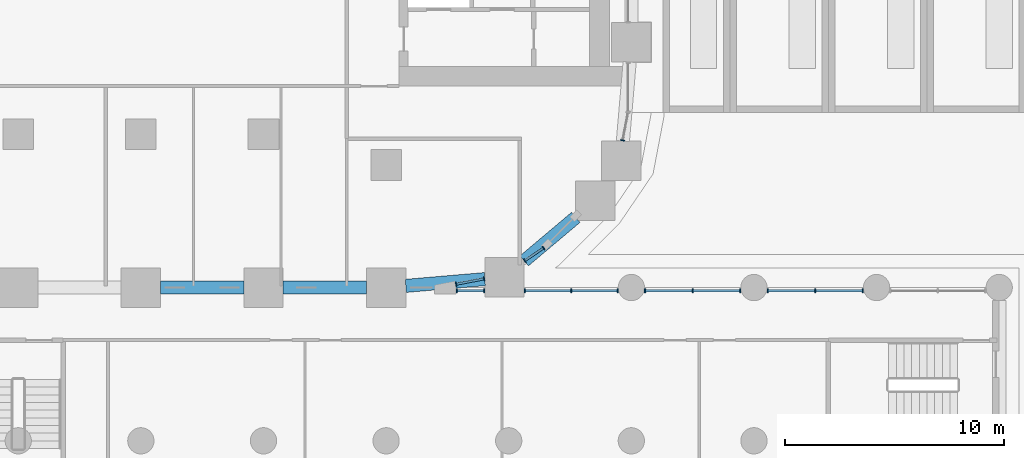
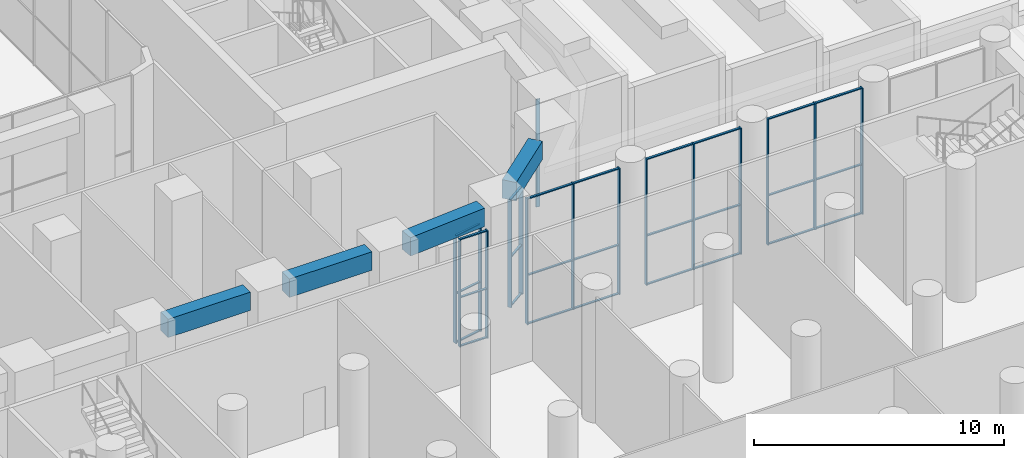
# One storey, part 15 of 51: 43 members, 4 beams, 7 elements without a shape of their own.
"""IFC4 building model written with IfcOpenShell, lengths in metres."""

from ifc_helpers import new_model, si_unit, direction, frame, origin, origin_2d, place, context, subcontext, project, spatial, rectangle, extrude, material, layer, layer_set, material_profile, profile_set, type_object, element, aggregate, save


model = new_model("IFC4")

# Units and contexts
model_context = context("Model", 3, precision=1e-05, world=origin(), true_north=direction((0.0, 1.0)))
body_context = subcontext(model_context, "Body", "Model", "MODEL_VIEW")
ifc_project = project(units=[si_unit("LENGTHUNIT", "METRE"), si_unit("AREAUNIT", "SQUARE_METRE"), si_unit("VOLUMEUNIT", "CUBIC_METRE"), si_unit("PLANEANGLEUNIT", "RADIAN"), si_unit("MASSUNIT", "GRAM", prefix="KILO")], contexts=[model_context])

# Site, building, storey
site_placement = place(None, origin())
site = spatial("IfcSite", under=ifc_project, at=site_placement, CompositionType="ELEMENT")
building_placement = place(site_placement, origin())
building = spatial("IfcBuilding", under=site, at=building_placement, Name="Kiln Ring Residences", CompositionType="ELEMENT")
storey_placement = place(building_placement, origin())
storey = spatial("IfcBuildingStorey", under=building, at=storey_placement, Name="L00", CompositionType="ELEMENT", Elevation=0.0)

# Curtain wall, members
ifc_material_1 = material(Name="Aluminium and glass", Category="aluminium")
ifc_layer = layer(ifc_material_1, 0.179931640625)
ifc_layer_set = layer_set([ifc_layer], Name="CW2 CURTAIN WALL")
curtain_wall_type = type_object("IfcCurtainWallType", Name="CW2 CURTAIN WALL", PredefinedType="NOTDEFINED", material=ifc_layer_set)
placement = place(storey_placement, origin())
curtain_wall_1 = element("IfcCurtainWall", 1, at=placement, inside=storey, type_object=curtain_wall_type, Name="Curtain wall CW2 L00", PredefinedType="NOTDEFINED")
ifc_material_2 = material(Name="Aluminium 6063-T6", Category="aluminium")
ifc_material_profile_1 = material_profile(ifc_material_2, rectangle(XDim=0.179931640625, YDim=0.050048828125, at=origin_2d()), Name="AL 180x50")
ifc_profile_set_1 = profile_set([ifc_material_profile_1], Name="Aluminium 6063-T6")
member_type_1 = type_object("IfcMemberType", Name="CW2 MULLION 180 x 50", PredefinedType="MULLION", material=ifc_profile_set_1)
member_1_placement = place(storey_placement, frame((38.574951171875, -22.550048828125, 0.0), z_axis=(0.0, 0.0, 1.0), x_axis=(0.0, -1.0, 0.0)))
member_1 = element("IfcMember", 2, at=member_1_placement, type_object=member_type_1, Name="CW2 mullion 1", PredefinedType="MULLION", context=body_context, shape_type="SweptSolid", body=[
    extrude(rectangle(XDim=0.179931640625, YDim=0.050048828125, at=origin_2d()), origin(), (0.0, 0.0, 1.0), 6.14990234375),
])
member_2_placement = place(storey_placement, frame((36.39990234375, -22.550048828125, 0.0), z_axis=(0.0, 0.0, 1.0), x_axis=(0.0, -1.0, 0.0)))
member_2 = element("IfcMember", 3, at=member_2_placement, type_object=member_type_1, Name="CW2 mullion 2", PredefinedType="MULLION", context=body_context, shape_type="SweptSolid", body=[
    extrude(rectangle(XDim=0.179931640625, YDim=0.050048828125, at=origin_2d()), origin(), (0.0, 0.0, 1.0), 6.14990234375),
])
member_3_placement = place(storey_placement, frame((34.22509765625, -22.550048828125, 0.0), z_axis=(0.0, 0.0, 1.0), x_axis=(0.0, -1.0, 0.0)))
member_3 = element("IfcMember", 4, at=member_3_placement, type_object=member_type_1, Name="CW2 mullion 3", PredefinedType="MULLION", context=body_context, shape_type="SweptSolid", body=[
    extrude(rectangle(XDim=0.179931640625, YDim=0.050048828125, at=origin_2d()), origin(), (0.0, 0.0, 1.0), 6.14990234375),
])

curtain_wall_2 = element("IfcCurtainWall", 5, at=placement, inside=storey, type_object=curtain_wall_type, Name="Curtain wall CW2 L00", PredefinedType="NOTDEFINED")
member_4_placement = place(storey_placement, frame((32.97509765625, -22.550048828125, 0.0), z_axis=(0.0, 0.0, 1.0), x_axis=(0.0, -1.0, 0.0)))
member_4 = element("IfcMember", 6, at=member_4_placement, type_object=member_type_1, Name="CW2 mullion 1", PredefinedType="MULLION", context=body_context, shape_type="SweptSolid", body=[
    extrude(rectangle(XDim=0.179931640625, YDim=0.050048828125, at=origin_2d()), origin(), (0.0, 0.0, 1.0), 6.14990234375),
])
member_5_placement = place(storey_placement, frame((30.800048828125, -22.550048828125, 0.0), z_axis=(0.0, 0.0, 1.0), x_axis=(0.0, -1.0, 0.0)))
member_5 = element("IfcMember", 7, at=member_5_placement, type_object=member_type_1, Name="CW2 mullion 2", PredefinedType="MULLION", context=body_context, shape_type="SweptSolid", body=[
    extrude(rectangle(XDim=0.179931640625, YDim=0.050048828125, at=origin_2d()), origin(), (0.0, 0.0, 1.0), 6.14990234375),
])
member_6_placement = place(storey_placement, frame((28.625, -22.550048828125, 0.0), z_axis=(0.0, 0.0, 1.0), x_axis=(0.0, -1.0, 0.0)))
member_6 = element("IfcMember", 8, at=member_6_placement, type_object=member_type_1, Name="CW2 mullion 3", PredefinedType="MULLION", context=body_context, shape_type="SweptSolid", body=[
    extrude(rectangle(XDim=0.179931640625, YDim=0.050048828125, at=origin_2d()), origin(), (0.0, 0.0, 1.0), 6.14990234375),
])

curtain_wall_3 = element("IfcCurtainWall", 9, at=placement, inside=storey, type_object=curtain_wall_type, Name="Curtain wall CW2 L00", PredefinedType="NOTDEFINED")
member_7_placement = place(storey_placement, frame((27.375, -22.550048828125, 0.0), z_axis=(0.0, 0.0, 1.0), x_axis=(0.0, -1.0, 0.0)))
member_7 = element("IfcMember", 10, at=member_7_placement, type_object=member_type_1, Name="CW2 mullion 1", PredefinedType="MULLION", context=body_context, shape_type="SweptSolid", body=[
    extrude(rectangle(XDim=0.179931640625, YDim=0.050048828125, at=origin_2d()), origin(), (0.0, 0.0, 1.0), 6.14990234375),
])
member_8_placement = place(storey_placement, frame((25.25439453125, -22.550048828125, 0.0), z_axis=(0.0, 0.0, 1.0), x_axis=(0.0, -1.0, 0.0)))
member_8 = element("IfcMember", 11, at=member_8_placement, type_object=member_type_1, Name="CW2 mullion 2", PredefinedType="MULLION", context=body_context, shape_type="SweptSolid", body=[
    extrude(rectangle(XDim=0.179931640625, YDim=0.050048828125, at=origin_2d()), origin(), (0.0, 0.0, 1.0), 6.14990234375),
])
member_9_placement = place(storey_placement, frame((23.1337890625, -22.550048828125, 0.0), z_axis=(0.0, 0.0, 1.0), x_axis=(0.0, -1.0, 0.0)))
member_9 = element("IfcMember", 12, at=member_9_placement, type_object=member_type_1, Name="CW2 mullion 3", PredefinedType="MULLION", context=body_context, shape_type="SweptSolid", body=[
    extrude(rectangle(XDim=0.179931640625, YDim=0.050048828125, at=origin_2d()), origin(), (0.0, 0.0, 1.0), 6.14990234375),
])

curtain_wall_4 = element("IfcCurtainWall", 13, at=placement, inside=storey, type_object=curtain_wall_type, Name="Curtain wall CW2 L00", PredefinedType="NOTDEFINED")
member_10_placement = place(storey_placement, frame((21.28369140625, -22.550048828125, 0.0), z_axis=(0.0, 0.0, 1.0), x_axis=(0.0, -1.0, 0.0)))
member_10 = element("IfcMember", 14, at=member_10_placement, type_object=member_type_1, Name="CW2 mullion 1", PredefinedType="MULLION", context=body_context, shape_type="SweptSolid", body=[
    extrude(rectangle(XDim=0.179931640625, YDim=0.050048828125, at=origin_2d()), origin(), (0.0, 0.0, 1.0), 5.25),
])
member_11_placement = place(storey_placement, frame((20.02490234375, -22.550048828125, 0.0), z_axis=(0.0, 0.0, 1.0), x_axis=(0.0, -1.0, 0.0)))
member_11 = element("IfcMember", 15, at=member_11_placement, type_object=member_type_1, Name="CW2 mullion 2", PredefinedType="MULLION", context=body_context, shape_type="SweptSolid", body=[
    extrude(rectangle(XDim=0.179931640625, YDim=0.050048828125, at=origin_2d()), origin(), (0.0, 0.0, 1.0), 5.25),
])

curtain_wall_5 = element("IfcCurtainWall", 16, at=placement, inside=storey, type_object=curtain_wall_type, Name="Curtain wall CW2 L00", PredefinedType="NOTDEFINED")
member_12_placement = place(storey_placement, frame((19.996337890625, -22.248046875, 0.0), z_axis=(0.0, 0.0, 1.0), x_axis=(-0.187365550279, 0.9822902578, 0.0)))
member_12 = element("IfcMember", 17, at=member_12_placement, type_object=member_type_1, Name="CW2 mullion 1", PredefinedType="MULLION", context=body_context, shape_type="SweptSolid", body=[
    extrude(rectangle(XDim=0.179931640625, YDim=0.050048828125, at=origin_2d()), origin(), (0.0, 0.0, 1.0), 5.25),
])
member_13_placement = place(storey_placement, frame((21.279541015625, -22.003173828125, 0.0), z_axis=(0.0, 0.0, 1.0), x_axis=(-0.187365550279, 0.9822902578, 0.0)))
member_13 = element("IfcMember", 18, at=member_13_placement, type_object=member_type_1, Name="CW2 mullion 2", PredefinedType="MULLION", context=body_context, shape_type="SweptSolid", body=[
    extrude(rectangle(XDim=0.179931640625, YDim=0.050048828125, at=origin_2d()), origin(), (0.0, 0.0, 1.0), 5.25),
])

curtain_wall_6 = element("IfcCurtainWall", 19, at=placement, inside=storey, type_object=curtain_wall_type, Name="Curtain wall CW2 L00", PredefinedType="NOTDEFINED")
member_14_placement = place(storey_placement, frame((23.12939453125, -21.17919921875, 0.0), z_axis=(0.0, 0.0, 1.0), x_axis=(-0.562096651308, 0.827071553488, 0.0)))
member_14 = element("IfcMember", 20, at=member_14_placement, type_object=member_type_1, Name="CW2 mullion 1", PredefinedType="MULLION", context=body_context, shape_type="SweptSolid", body=[
    extrude(rectangle(XDim=0.179931640625, YDim=0.050048828125, at=origin_2d()), origin(), (0.0, 0.0, 1.0), 5.25),
])
member_15_placement = place(storey_placement, frame((23.991943359375, -20.593017578125, 0.0), z_axis=(0.0, 0.0, 1.0), x_axis=(-0.562096651308, 0.827071553488, 0.0)))
member_15 = element("IfcMember", 21, at=member_15_placement, type_object=member_type_1, Name="CW2 mullion 2", PredefinedType="MULLION", context=body_context, shape_type="SweptSolid", body=[
    extrude(rectangle(XDim=0.179931640625, YDim=0.050048828125, at=origin_2d()), origin(), (0.0, 0.0, 1.0), 5.25),
])

# Curtain wall, member
curtain_wall_7 = element("IfcCurtainWall", 22, at=placement, inside=storey, type_object=curtain_wall_type, Name="Curtain wall CW2 L00", PredefinedType="NOTDEFINED")
member_16_placement = place(storey_placement, frame((27.603271484375, -15.679443359375, 0.0), z_axis=(0.0, 0.0, 1.0), x_axis=(-0.9822902578, 0.187365550279, 0.0)))
member_16 = element("IfcMember", 23, at=member_16_placement, type_object=member_type_1, Name="CW2 mullion 1", PredefinedType="MULLION", context=body_context, shape_type="SweptSolid", body=[
    extrude(rectangle(XDim=0.179931640625, YDim=0.050048828125, at=origin_2d()), origin(), (0.0, 0.0, 1.0), 5.25),
])
aggregate(curtain_wall_7, [member_16])

# Member
ifc_material_3 = material(Name="Aluminium 6063-T6", Category="aluminium")
ifc_material_profile_2 = material_profile(ifc_material_3, rectangle(XDim=0.10009765625, YDim=0.050048828125, at=origin_2d()), Name="AL 100x50")
ifc_profile_set_2 = profile_set([ifc_material_profile_2], Name="Aluminium 6063-T6")
member_type_2 = type_object("IfcMemberType", Name="CW2 TRANSOM 100 x 50", PredefinedType="USERDEFINED", material=ifc_profile_set_2)
member_17_placement = place(storey_placement, frame((38.550048828125, -22.550048828125, 0.02490234375), z_axis=(-1.0, 0.0, 0.0), x_axis=(0.0, -1.0, 0.0)))
member_17 = element("IfcMember", 24, at=member_17_placement, type_object=member_type_2, Name="CW2 transom 1.1", ObjectType="TRANSOM", PredefinedType="USERDEFINED", context=body_context, shape_type="SweptSolid", body=[
    extrude(rectangle(XDim=0.10009765625, YDim=0.050048828125, at=origin_2d()), origin(), (0.0, 0.0, 1.0), 2.125),
])

member_18_placement = place(storey_placement, frame((38.550048828125, -22.550048828125, 2.39990234375), z_axis=(-1.0, 0.0, 0.0), x_axis=(0.0, -1.0, 0.0)))
member_18 = element("IfcMember", 25, at=member_18_placement, type_object=member_type_2, Name="CW2 transom 1.2", ObjectType="TRANSOM", PredefinedType="USERDEFINED", context=body_context, shape_type="SweptSolid", body=[
    extrude(rectangle(XDim=0.10009765625, YDim=0.050048828125, at=origin_2d()), origin(), (0.0, 0.0, 1.0), 2.125),
])

member_19_placement = place(storey_placement, frame((38.550048828125, -22.550048828125, 6.125), z_axis=(-1.0, 0.0, 0.0), x_axis=(0.0, -1.0, 0.0)))
member_19 = element("IfcMember", 26, at=member_19_placement, type_object=member_type_2, Name="CW2 transom 1.3", ObjectType="TRANSOM", PredefinedType="USERDEFINED", context=body_context, shape_type="SweptSolid", body=[
    extrude(rectangle(XDim=0.10009765625, YDim=0.050048828125, at=origin_2d()), origin(), (0.0, 0.0, 1.0), 2.125),
])

member_20_placement = place(storey_placement, frame((36.375, -22.550048828125, 0.02490234375), z_axis=(-1.0, 0.0, 0.0), x_axis=(0.0, -1.0, 0.0)))
member_20 = element("IfcMember", 27, at=member_20_placement, type_object=member_type_2, Name="CW2 transom 2.1", ObjectType="TRANSOM", PredefinedType="USERDEFINED", context=body_context, shape_type="SweptSolid", body=[
    extrude(rectangle(XDim=0.10009765625, YDim=0.050048828125, at=origin_2d()), origin(), (0.0, 0.0, 1.0), 2.125),
])

member_21_placement = place(storey_placement, frame((36.375, -22.550048828125, 2.39990234375), z_axis=(-1.0, 0.0, 0.0), x_axis=(0.0, -1.0, 0.0)))
member_21 = element("IfcMember", 28, at=member_21_placement, type_object=member_type_2, Name="CW2 transom 2.2", ObjectType="TRANSOM", PredefinedType="USERDEFINED", context=body_context, shape_type="SweptSolid", body=[
    extrude(rectangle(XDim=0.10009765625, YDim=0.050048828125, at=origin_2d()), origin(), (0.0, 0.0, 1.0), 2.125),
])

member_22_placement = place(storey_placement, frame((36.375, -22.550048828125, 6.125), z_axis=(-1.0, 0.0, 0.0), x_axis=(0.0, -1.0, 0.0)))
member_22 = element("IfcMember", 29, at=member_22_placement, type_object=member_type_2, Name="CW2 transom 2.3", ObjectType="TRANSOM", PredefinedType="USERDEFINED", context=body_context, shape_type="SweptSolid", body=[
    extrude(rectangle(XDim=0.10009765625, YDim=0.050048828125, at=origin_2d()), origin(), (0.0, 0.0, 1.0), 2.125),
])

aggregate(curtain_wall_1, [member_1, member_2, member_3, member_17, member_18, member_19, member_20, member_21, member_22])

member_23_placement = place(storey_placement, frame((32.949951171875, -22.550048828125, 0.02490234375), z_axis=(-1.0, 0.0, 0.0), x_axis=(0.0, -1.0, 0.0)))
member_23 = element("IfcMember", 30, at=member_23_placement, type_object=member_type_2, Name="CW2 transom 1.1", ObjectType="TRANSOM", PredefinedType="USERDEFINED", context=body_context, shape_type="SweptSolid", body=[
    extrude(rectangle(XDim=0.10009765625, YDim=0.050048828125, at=origin_2d()), origin(), (0.0, 0.0, 1.0), 2.125),
])

member_24_placement = place(storey_placement, frame((32.949951171875, -22.550048828125, 2.39990234375), z_axis=(-1.0, 0.0, 0.0), x_axis=(0.0, -1.0, 0.0)))
member_24 = element("IfcMember", 31, at=member_24_placement, type_object=member_type_2, Name="CW2 transom 1.2", ObjectType="TRANSOM", PredefinedType="USERDEFINED", context=body_context, shape_type="SweptSolid", body=[
    extrude(rectangle(XDim=0.10009765625, YDim=0.050048828125, at=origin_2d()), origin(), (0.0, 0.0, 1.0), 2.125),
])

member_25_placement = place(storey_placement, frame((32.949951171875, -22.550048828125, 6.125), z_axis=(-1.0, 0.0, 0.0), x_axis=(0.0, -1.0, 0.0)))
member_25 = element("IfcMember", 32, at=member_25_placement, type_object=member_type_2, Name="CW2 transom 1.3", ObjectType="TRANSOM", PredefinedType="USERDEFINED", context=body_context, shape_type="SweptSolid", body=[
    extrude(rectangle(XDim=0.10009765625, YDim=0.050048828125, at=origin_2d()), origin(), (0.0, 0.0, 1.0), 2.125),
])

member_26_placement = place(storey_placement, frame((30.77490234375, -22.550048828125, 0.02490234375), z_axis=(-1.0, 0.0, 0.0), x_axis=(0.0, -1.0, 0.0)))
member_26 = element("IfcMember", 33, at=member_26_placement, type_object=member_type_2, Name="CW2 transom 2.1", ObjectType="TRANSOM", PredefinedType="USERDEFINED", context=body_context, shape_type="SweptSolid", body=[
    extrude(rectangle(XDim=0.10009765625, YDim=0.050048828125, at=origin_2d()), origin(), (0.0, 0.0, 1.0), 2.125),
])

member_27_placement = place(storey_placement, frame((30.77490234375, -22.550048828125, 2.39990234375), z_axis=(-1.0, 0.0, 0.0), x_axis=(0.0, -1.0, 0.0)))
member_27 = element("IfcMember", 34, at=member_27_placement, type_object=member_type_2, Name="CW2 transom 2.2", ObjectType="TRANSOM", PredefinedType="USERDEFINED", context=body_context, shape_type="SweptSolid", body=[
    extrude(rectangle(XDim=0.10009765625, YDim=0.050048828125, at=origin_2d()), origin(), (0.0, 0.0, 1.0), 2.125),
])

member_28_placement = place(storey_placement, frame((30.77490234375, -22.550048828125, 6.125), z_axis=(-1.0, 0.0, 0.0), x_axis=(0.0, -1.0, 0.0)))
member_28 = element("IfcMember", 35, at=member_28_placement, type_object=member_type_2, Name="CW2 transom 2.3", ObjectType="TRANSOM", PredefinedType="USERDEFINED", context=body_context, shape_type="SweptSolid", body=[
    extrude(rectangle(XDim=0.10009765625, YDim=0.050048828125, at=origin_2d()), origin(), (0.0, 0.0, 1.0), 2.125),
])

aggregate(curtain_wall_2, [member_4, member_5, member_6, member_23, member_24, member_25, member_26, member_27, member_28])

member_29_placement = place(storey_placement, frame((27.35009765625, -22.550048828125, 0.02490234375), z_axis=(-1.0, 0.0, 0.0), x_axis=(0.0, -1.0, 0.0)))
member_29 = element("IfcMember", 36, at=member_29_placement, type_object=member_type_2, Name="CW2 transom 1.1", ObjectType="TRANSOM", PredefinedType="USERDEFINED", context=body_context, shape_type="SweptSolid", body=[
    extrude(rectangle(XDim=0.10009765625, YDim=0.050048828125, at=origin_2d()), origin(), (0.0, 0.0, 1.0), 2.07080078125),
])

member_30_placement = place(storey_placement, frame((27.35009765625, -22.550048828125, 2.39990234375), z_axis=(-1.0, 0.0, 0.0), x_axis=(0.0, -1.0, 0.0)))
member_30 = element("IfcMember", 37, at=member_30_placement, type_object=member_type_2, Name="CW2 transom 1.2", ObjectType="TRANSOM", PredefinedType="USERDEFINED", context=body_context, shape_type="SweptSolid", body=[
    extrude(rectangle(XDim=0.10009765625, YDim=0.050048828125, at=origin_2d()), origin(), (0.0, 0.0, 1.0), 2.07080078125),
])

member_31_placement = place(storey_placement, frame((27.35009765625, -22.550048828125, 6.125), z_axis=(-1.0, 0.0, 0.0), x_axis=(0.0, -1.0, 0.0)))
member_31 = element("IfcMember", 38, at=member_31_placement, type_object=member_type_2, Name="CW2 transom 1.3", ObjectType="TRANSOM", PredefinedType="USERDEFINED", context=body_context, shape_type="SweptSolid", body=[
    extrude(rectangle(XDim=0.10009765625, YDim=0.050048828125, at=origin_2d()), origin(), (0.0, 0.0, 1.0), 2.07080078125),
])

member_32_placement = place(storey_placement, frame((25.229248046875, -22.550048828125, 0.02490234375), z_axis=(-1.0, 0.0, 0.0), x_axis=(0.0, -1.0, 0.0)))
member_32 = element("IfcMember", 39, at=member_32_placement, type_object=member_type_2, Name="CW2 transom 2.1", ObjectType="TRANSOM", PredefinedType="USERDEFINED", context=body_context, shape_type="SweptSolid", body=[
    extrude(rectangle(XDim=0.10009765625, YDim=0.050048828125, at=origin_2d()), origin(), (0.0, 0.0, 1.0), 2.070556640625),
])

member_33_placement = place(storey_placement, frame((25.229248046875, -22.550048828125, 2.39990234375), z_axis=(-1.0, 0.0, 0.0), x_axis=(0.0, -1.0, 0.0)))
member_33 = element("IfcMember", 40, at=member_33_placement, type_object=member_type_2, Name="CW2 transom 2.2", ObjectType="TRANSOM", PredefinedType="USERDEFINED", context=body_context, shape_type="SweptSolid", body=[
    extrude(rectangle(XDim=0.10009765625, YDim=0.050048828125, at=origin_2d()), origin(), (0.0, 0.0, 1.0), 2.070556640625),
])

member_34_placement = place(storey_placement, frame((25.229248046875, -22.550048828125, 6.125), z_axis=(-1.0, 0.0, 0.0), x_axis=(0.0, -1.0, 0.0)))
member_34 = element("IfcMember", 41, at=member_34_placement, type_object=member_type_2, Name="CW2 transom 2.3", ObjectType="TRANSOM", PredefinedType="USERDEFINED", context=body_context, shape_type="SweptSolid", body=[
    extrude(rectangle(XDim=0.10009765625, YDim=0.050048828125, at=origin_2d()), origin(), (0.0, 0.0, 1.0), 2.070556640625),
])

aggregate(curtain_wall_3, [member_7, member_8, member_9, member_29, member_30, member_31, member_32, member_33, member_34])

member_35_placement = place(storey_placement, frame((21.2587890625, -22.550048828125, 0.02490234375), z_axis=(-1.0, 0.0, 0.0), x_axis=(0.0, -1.0, 0.0)))
member_35 = element("IfcMember", 42, at=member_35_placement, type_object=member_type_2, Name="CW2 transom 1.1", ObjectType="TRANSOM", PredefinedType="USERDEFINED", context=body_context, shape_type="SweptSolid", body=[
    extrude(rectangle(XDim=0.10009765625, YDim=0.050048828125, at=origin_2d()), origin(), (0.0, 0.0, 1.0), 1.208740234375),
])

member_36_placement = place(storey_placement, frame((21.2587890625, -22.550048828125, 2.39990234375), z_axis=(-1.0, 0.0, 0.0), x_axis=(0.0, -1.0, 0.0)))
member_36 = element("IfcMember", 43, at=member_36_placement, type_object=member_type_2, Name="CW2 transom 1.2", ObjectType="TRANSOM", PredefinedType="USERDEFINED", context=body_context, shape_type="SweptSolid", body=[
    extrude(rectangle(XDim=0.10009765625, YDim=0.050048828125, at=origin_2d()), origin(), (0.0, 0.0, 1.0), 1.208740234375),
])

member_37_placement = place(storey_placement, frame((21.2587890625, -22.550048828125, 5.22509765625), z_axis=(-1.0, 0.0, 0.0), x_axis=(0.0, -1.0, 0.0)))
member_37 = element("IfcMember", 44, at=member_37_placement, type_object=member_type_2, Name="CW2 transom 1.3", ObjectType="TRANSOM", PredefinedType="USERDEFINED", context=body_context, shape_type="SweptSolid", body=[
    extrude(rectangle(XDim=0.10009765625, YDim=0.050048828125, at=origin_2d()), origin(), (0.0, 0.0, 1.0), 1.208740234375),
])

aggregate(curtain_wall_4, [member_10, member_11, member_35, member_36, member_37])

member_38_placement = place(storey_placement, frame((20.02099609375, -22.243408203125, 0.02490234375), z_axis=(0.982255114472, 0.18754970033, 0.0), x_axis=(-0.18754970033, 0.982255114472, 0.0)))
member_38 = element("IfcMember", 45, at=member_38_placement, type_object=member_type_2, Name="CW2 transom 1.1", ObjectType="TRANSOM", PredefinedType="USERDEFINED", context=body_context, shape_type="SweptSolid", body=[
    extrude(rectangle(XDim=0.10009765625, YDim=0.050048828125, at=origin_2d()), origin(), (0.0, 0.0, 1.0), 1.256103515625),
])

member_39_placement = place(storey_placement, frame((20.02099609375, -22.243408203125, 2.39990234375), z_axis=(0.982255114472, 0.18754970033, 0.0), x_axis=(-0.18754970033, 0.982255114472, 0.0)))
member_39 = element("IfcMember", 46, at=member_39_placement, type_object=member_type_2, Name="CW2 transom 1.2", ObjectType="TRANSOM", PredefinedType="USERDEFINED", context=body_context, shape_type="SweptSolid", body=[
    extrude(rectangle(XDim=0.10009765625, YDim=0.050048828125, at=origin_2d()), origin(), (0.0, 0.0, 1.0), 1.256103515625),
])

member_40_placement = place(storey_placement, frame((20.02099609375, -22.243408203125, 5.22509765625), z_axis=(0.982255114472, 0.18754970033, 0.0), x_axis=(-0.18754970033, 0.982255114472, 0.0)))
member_40 = element("IfcMember", 47, at=member_40_placement, type_object=member_type_2, Name="CW2 transom 1.3", ObjectType="TRANSOM", PredefinedType="USERDEFINED", context=body_context, shape_type="SweptSolid", body=[
    extrude(rectangle(XDim=0.10009765625, YDim=0.050048828125, at=origin_2d()), origin(), (0.0, 0.0, 1.0), 1.256103515625),
])

aggregate(curtain_wall_5, [member_12, member_13, member_38, member_39, member_40])

member_41_placement = place(storey_placement, frame((23.150146484375, -21.165283203125, 0.02490234375), z_axis=(0.826985938738, 0.562222604606, 0.0), x_axis=(-0.562222604606, 0.826985938738, 0.0)))
member_41 = element("IfcMember", 48, at=member_41_placement, type_object=member_type_2, Name="CW2 transom 1.1", ObjectType="TRANSOM", PredefinedType="USERDEFINED", context=body_context, shape_type="SweptSolid", body=[
    extrude(rectangle(XDim=0.10009765625, YDim=0.050048828125, at=origin_2d()), origin(), (0.0, 0.0, 1.0), 0.9931640625),
])

member_42_placement = place(storey_placement, frame((23.150146484375, -21.165283203125, 2.39990234375), z_axis=(0.826985938738, 0.562222604606, 0.0), x_axis=(-0.562222604606, 0.826985938738, 0.0)))
member_42 = element("IfcMember", 49, at=member_42_placement, type_object=member_type_2, Name="CW2 transom 1.2", ObjectType="TRANSOM", PredefinedType="USERDEFINED", context=body_context, shape_type="SweptSolid", body=[
    extrude(rectangle(XDim=0.10009765625, YDim=0.050048828125, at=origin_2d()), origin(), (0.0, 0.0, 1.0), 0.9931640625),
])

member_43_placement = place(storey_placement, frame((23.150146484375, -21.165283203125, 5.22509765625), z_axis=(0.826985938738, 0.562222604606, 0.0), x_axis=(-0.562222604606, 0.826985938738, 0.0)))
member_43 = element("IfcMember", 50, at=member_43_placement, type_object=member_type_2, Name="CW2 transom 1.3", ObjectType="TRANSOM", PredefinedType="USERDEFINED", context=body_context, shape_type="SweptSolid", body=[
    extrude(rectangle(XDim=0.10009765625, YDim=0.050048828125, at=origin_2d()), origin(), (0.0, 0.0, 1.0), 0.9931640625),
])

aggregate(curtain_wall_6, [member_14, member_15, member_41, member_42, member_43])

# Beams
ifc_material_4 = material(Name="Concrete C50/60", Category="concrete")
ifc_material_profile_3 = material_profile(ifc_material_4, rectangle(XDim=0.60009765625, YDim=0.89990234375, at=origin_2d()), Name="RC600x900")
ifc_profile_set_3 = profile_set([ifc_material_profile_3], Name="Concrete C50/60")
beam_type = type_object("IfcBeamType", Name="Spandrel beam RC600x900 C50/60", PredefinedType="SPANDREL", material=ifc_profile_set_3)
beam_1_placement = place(storey_placement, frame((6.5, -22.39990234375, 5.699951171875), z_axis=(1.0, 0.0, 0.0), x_axis=(0.0, 1.0, 0.0)))
element("IfcBeam", 51, at=beam_1_placement, inside=storey, type_object=beam_type, Name="Spandrel beam L00 6", PredefinedType="SPANDREL", context=body_context, shape_type="SweptSolid", body=[
    extrude(rectangle(XDim=0.60009765625, YDim=0.89990234375, at=origin_2d()), origin(), (0.0, 0.0, 1.0), 3.800048828125),
])
beam_2_placement = place(storey_placement, frame((12.10009765625, -22.39990234375, 5.699951171875), z_axis=(1.0, 0.0, 0.0), x_axis=(0.0, 1.0, 0.0)))
element("IfcBeam", 52, at=beam_2_placement, inside=storey, type_object=beam_type, Name="Spandrel beam L00 7", PredefinedType="SPANDREL", context=body_context, shape_type="SweptSolid", body=[
    extrude(rectangle(XDim=0.60009765625, YDim=0.89990234375, at=origin_2d()), origin(), (0.0, 0.0, 1.0), 3.7998046875),
])
beam_3_placement = place(storey_placement, frame((17.699951171875, -22.3232421875, 5.699951171875), z_axis=(0.996369229372, 0.0851372936, 0.0), x_axis=(-0.0851372936, 0.996369229372, 0.0)))
element("IfcBeam", 53, at=beam_3_placement, inside=storey, type_object=beam_type, Name="Spandrel beam L00 8", PredefinedType="SPANDREL", context=body_context, shape_type="SweptSolid", body=[
    extrude(rectangle(XDim=0.60009765625, YDim=0.89990234375, at=origin_2d()), origin(), (0.0, 0.0, 1.0), 3.621826171875),
])
beam_4_placement = place(storey_placement, frame((23.108642578125, -21.1796875, 5.699951171875), z_axis=(0.764694939912, 0.644392464941, 0.0), x_axis=(-0.644392464941, 0.764694939912, 0.0)))
element("IfcBeam", 54, at=beam_4_placement, inside=storey, type_object=beam_type, Name="Spandrel beam L00 9", PredefinedType="SPANDREL", context=body_context, shape_type="SweptSolid", body=[
    extrude(rectangle(XDim=0.60009765625, YDim=0.89990234375, at=origin_2d()), origin(), (0.0, 0.0, 1.0), 3.074462890625),
])

save(model, "model.ifc")
